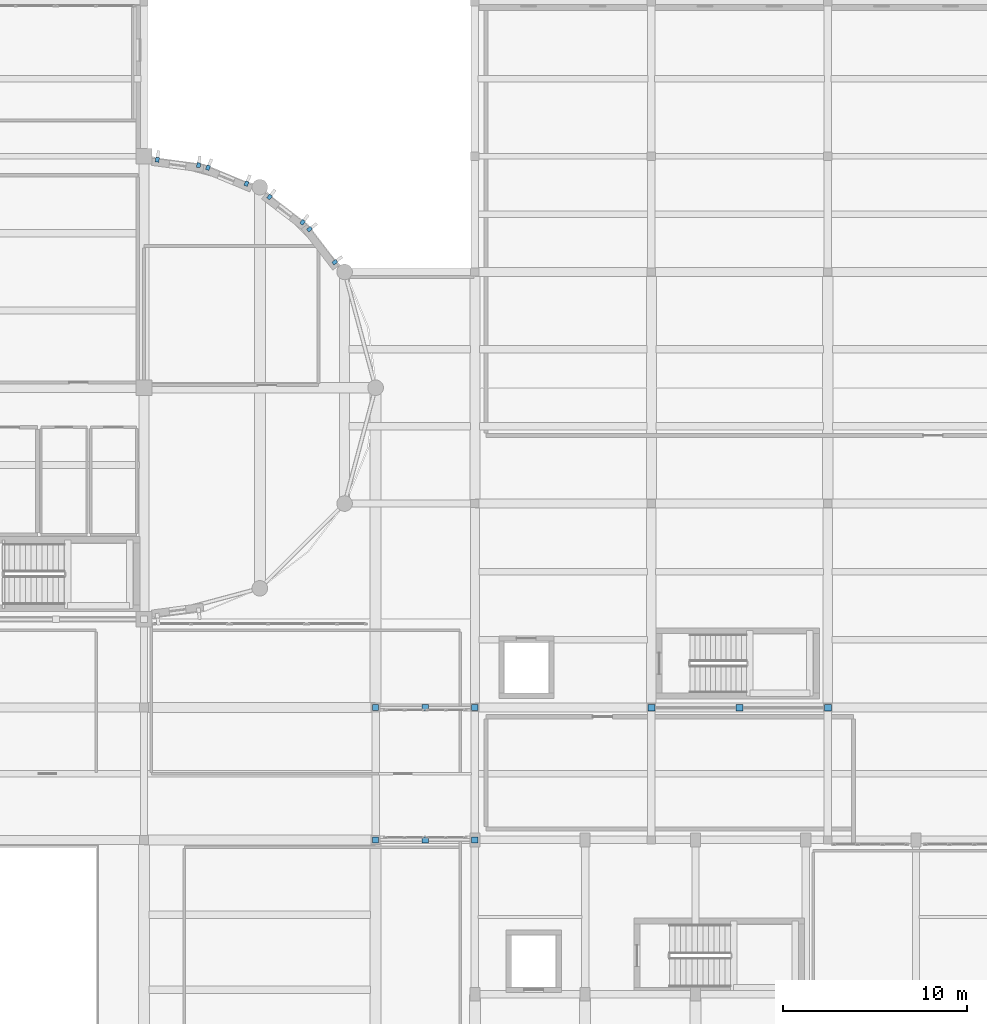
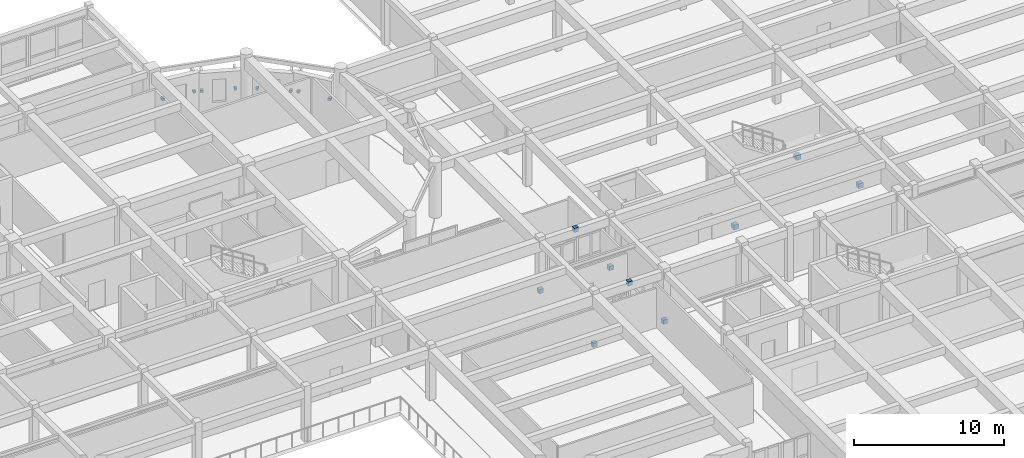
# One storey, part 77 of 92: 17 discrete accessories.
"""IFC4 building model written with IfcOpenShell, lengths in metres."""

from ifc_helpers import new_model, si_unit, direction, frame, origin, origin_2d, place, context, subcontext, project, spatial, rectangle, extrude, material, type_object, element, save


model = new_model("IFC4")

# Units and contexts
model_context = context("Model", 3, precision=1e-05, world=origin(), true_north=direction((0.0, 1.0)))
body_context = subcontext(model_context, "Body", "Model", "MODEL_VIEW")
ifc_project = project(units=[si_unit("LENGTHUNIT", "METRE"), si_unit("AREAUNIT", "SQUARE_METRE"), si_unit("VOLUMEUNIT", "CUBIC_METRE"), si_unit("PLANEANGLEUNIT", "RADIAN"), si_unit("MASSUNIT", "GRAM", prefix="KILO")], contexts=[model_context])

# Site, building, storey
site_placement = place(None, origin())
site = spatial("IfcSite", under=ifc_project, at=site_placement, CompositionType="ELEMENT")
building_placement = place(site_placement, origin())
building = spatial("IfcBuilding", under=site, at=building_placement, Name="Tarnavel Promenade Courthouse", CompositionType="ELEMENT")
storey_placement = place(building_placement, frame((0.0, 0.0, 5.39990234375)))
storey = spatial("IfcBuildingStorey", under=building, at=storey_placement, Name="L02", CompositionType="ELEMENT", Elevation=5.39990234375)

# Discrete accessories
ifc_material = material(Name="Steel S355J2", Category="steel")
discrete_accessory_type_1 = type_object("IfcDiscreteAccessoryType", Name="Steel S355J2 Facade Pier Anchor Bracket", PredefinedType="BRACKET", material=ifc_material)
for number, where, z_axis, x_axis, name in (
    (1, (112.37890625, 98.630126953125, 1.59521484375), (0.0, 0.0, 1.0), (-0.608761429009, 0.793353340291, 0.0), "L02 Drum Pier Bracket 0053"),
    (2, (111.000732421875, 100.426513671875, 1.59521484375), (0.0, 0.0, 1.0), (-0.608761429009, 0.793353340291, 0.0), "L02 Drum Pier Bracket 0054"),
    (3, (110.62646484375, 100.80078125, 1.544921875), (0.0, 0.0, 1.0), (-0.793353340291, 0.608761429009, 0.0), "L02 Drum Pier Bracket 0055"),
    (4, (108.830078125, 102.178955078125, 1.544921875), (0.0, 0.0, 1.0), (-0.793353340291, 0.608761429009, 0.0), "L02 Drum Pier Bracket 0056"),
    (5, (107.573486328125, 102.904541015625, 1.544921875), (0.0, 0.0, 1.0), (-0.923879532511, 0.382683432365, 0.0), "L02 Drum Pier Bracket 0057"),
    (6, (105.4814453125, 103.77099609375, 1.544921875), (0.0, 0.0, 1.0), (-0.923879532511, 0.382683432365, 0.0), "L02 Drum Pier Bracket 0058"),
    (7, (104.970458984375, 103.908203125, 1.59521484375), (0.0, 0.0, 1.0), (-0.991444861374, 0.13052619222, 0.0), "L02 Drum Pier Bracket 0059"),
    (8, (102.7255859375, 104.20361328125, 1.59521484375), (0.0, 0.0, 1.0), (-0.991444861374, 0.13052619222, 0.0), "L02 Drum Pier Bracket 0060"),
):
    element("IfcDiscreteAccessory", number, at=place(storey_placement, frame(where, z_axis=z_axis, x_axis=x_axis)), inside=storey, type_object=discrete_accessory_type_1, Name=name, PredefinedType="BRACKET", context=body_context, shape_type="SweptSolid", body=[
        extrude(rectangle(XDim=0.199951171875, YDim=0.260009765625, at=origin_2d()), origin(), (0.0, 0.0, 1.0), 0.179931640625),
    ])
discrete_accessory_type_2 = type_object("IfcDiscreteAccessoryType", Name="Steel S355J2 Structural Connection Bracket", PredefinedType="BRACKET", material=ifc_material)
for number, where, z_axis, x_axis, name in (
    (9, (114.60009765625, 67.199951171875, -0.169921875), (0.0, 0.0, 1.0), (1.0, 0.0, 0.0), "L02 Link Bridge BRE Truss Gusset Node W"),
    (10, (117.300048828125, 67.199951171875, 3.89013671875), (0.0, 0.0, 1.0), (1.0, 0.0, 0.0), "L02 Link Bridge BRE Truss Gusset Node M"),
    (11, (120.0, 67.199951171875, -0.169921875), (0.0, 0.0, 1.0), (1.0, 0.0, 0.0), "L02 Link Bridge BRE Truss Gusset Node E"),
    (12, (114.60009765625, 74.39990234375, -0.169921875), (0.0, 0.0, 1.0), (1.0, 0.0, 0.0), "L02 Link Bridge BRE Truss Gusset Node W"),
    (13, (117.300048828125, 74.39990234375, 3.89013671875), (0.0, 0.0, 1.0), (1.0, 0.0, 0.0), "L02 Link Bridge BRE Truss Gusset Node M"),
    (14, (120.0, 74.39990234375, -0.169921875), (0.0, 0.0, 1.0), (1.0, 0.0, 0.0), "L02 Link Bridge BRE Truss Gusset Node E"),
):
    element("IfcDiscreteAccessory", number, at=place(storey_placement, frame(where, z_axis=z_axis, x_axis=x_axis)), inside=storey, type_object=discrete_accessory_type_2, Name=name, PredefinedType="BRACKET", context=body_context, shape_type="SweptSolid", body=[
        extrude(rectangle(XDim=0.340087890625, YDim=0.320068359375, at=origin_2d()), origin(), (0.0, 0.0, 1.0), 0.340087890625),
    ])
for number, where, z_axis, x_axis, name in (
    (15, (129.60009765625, 74.39990234375, -0.18994140625), (0.0, 0.0, 1.0), (1.0, 0.0, 0.0), "L02 V6 Chevron Brace Gusset Node 049-L"),
    (16, (134.39990234375, 74.39990234375, 3.795166015625), (0.0, 0.0, 1.0), (1.0, 0.0, 0.0), "L02 V6 Chevron Brace Gusset Node 049-M"),
    (17, (139.199951171875, 74.39990234375, -0.18994140625), (0.0, 0.0, 1.0), (1.0, 0.0, 0.0), "L02 V6 Chevron Brace Gusset Node 049-R"),
):
    element("IfcDiscreteAccessory", number, at=place(storey_placement, frame(where, z_axis=z_axis, x_axis=x_axis)), inside=storey, type_object=discrete_accessory_type_2, Name=name, PredefinedType="BRACKET", context=body_context, shape_type="SweptSolid", body=[
        extrude(rectangle(XDim=0.3798828125, YDim=0.360107421875, at=origin_2d()), origin(), (0.0, 0.0, 1.0), 0.3798828125),
    ])

save(model, "model.ifc")
